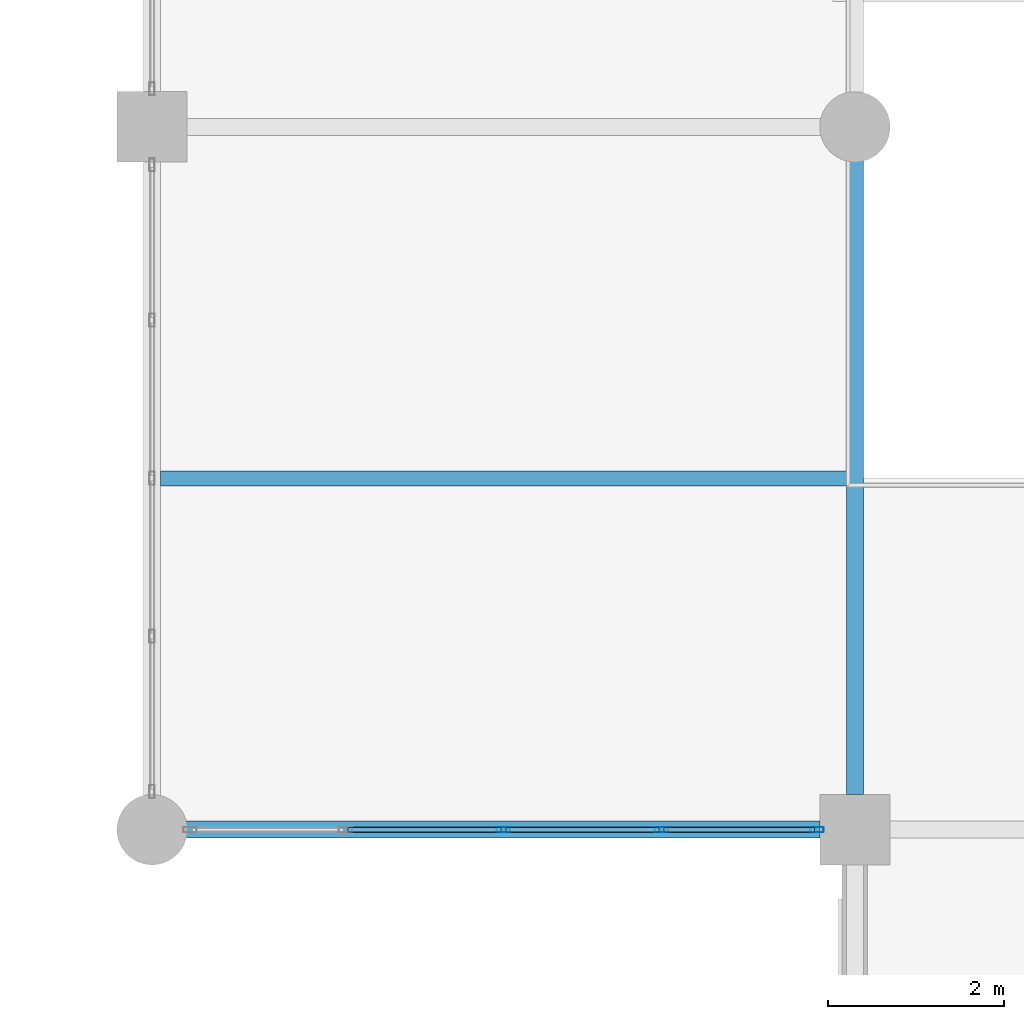
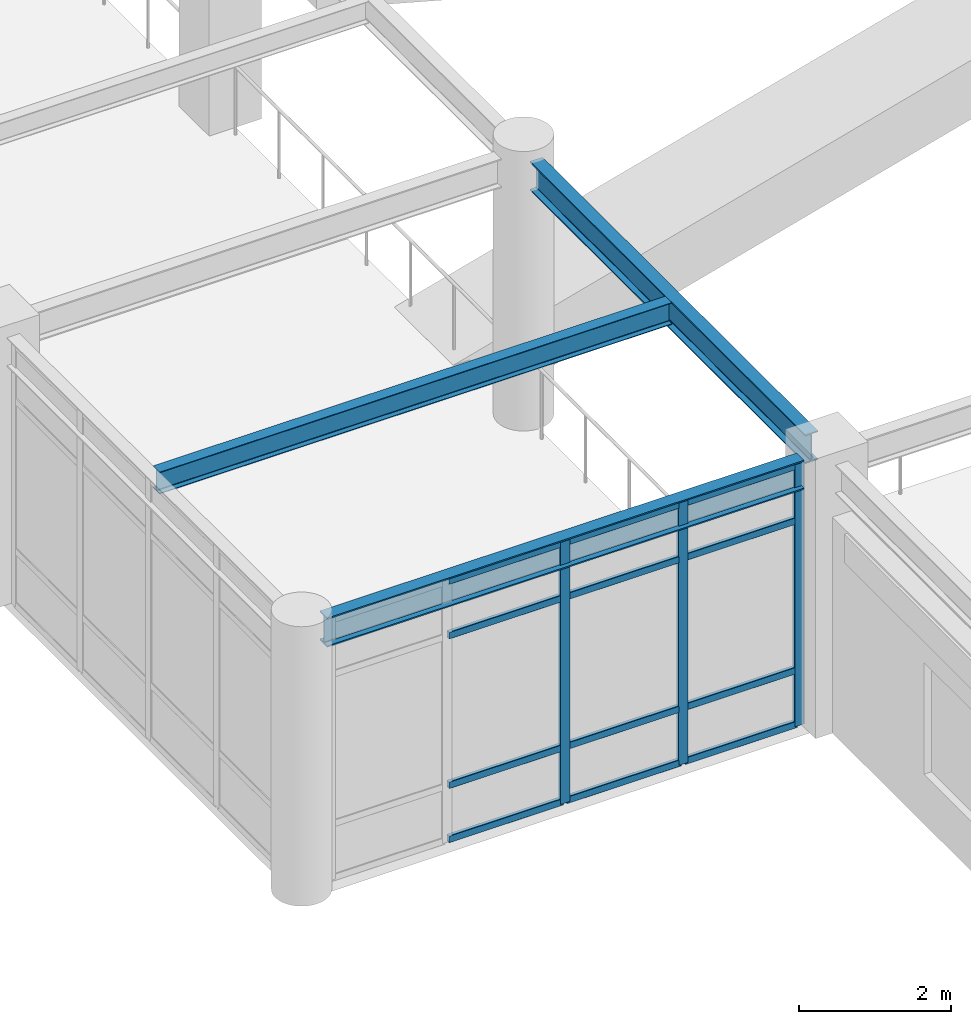
# One storey, part 20 of 78: 15 members, 3 beams, 1 element without a shape of its own.
"""IFC4 building model written with IfcOpenShell, lengths in metres."""

from ifc_helpers import new_model, si_unit, direction, frame, origin, origin_2d, place, context, subcontext, project, spatial, hollow_rectangle, i_section, extrude, material, material_profile, profile_set, type_object, element, aggregate, save


model = new_model("IFC4")

# Units and contexts
model_context = context("Model", 3, precision=1e-05, world=origin(), true_north=direction((0.0, 1.0)))
body_context = subcontext(model_context, "Body", "Model", "MODEL_VIEW")
ifc_project = project(units=[si_unit("LENGTHUNIT", "METRE"), si_unit("AREAUNIT", "SQUARE_METRE"), si_unit("VOLUMEUNIT", "CUBIC_METRE"), si_unit("PLANEANGLEUNIT", "RADIAN"), si_unit("MASSUNIT", "GRAM", prefix="KILO")], contexts=[model_context])

# Site, building, storey
site_placement = place(None, origin())
site = spatial("IfcSite", under=ifc_project, at=site_placement, CompositionType="ELEMENT")
building_placement = place(site_placement, origin())
building = spatial("IfcBuilding", under=site, at=building_placement, Name="Solmirada Galleria", CompositionType="ELEMENT")
storey_placement = place(building_placement, frame((0.0, 0.0, 23.89990234375)))
storey = spatial("IfcBuildingStorey", under=building, at=storey_placement, Name="L05", CompositionType="ELEMENT", Elevation=23.89990234375)

# Beams
ifc_material_1 = material(Name="Steel S355 / ASTM A992 Grade 50", Category="steel")
ifc_material_profile_1 = material_profile(ifc_material_1, i_section(OverallWidth=0.194091796875, OverallDepth=0.468994140625, WebThickness=0.0126953125, FlangeThickness=0.0205078125, FilletRadius=0.013916015625, at=origin_2d()), Name="W18X71")
ifc_profile_set_1 = profile_set([ifc_material_profile_1], Name="Steel S355 / ASTM A992 Grade 50")
beam_type_1 = type_object("IfcBeamType", Name="BM-GIRD-W18B", PredefinedType="BEAM", material=ifc_profile_set_1)
beam_1_placement = place(storey_placement, frame((80.3359375, 48.0, 4.065673828125), z_axis=(1.0, 0.0, 0.0), x_axis=(0.0, 1.0, 0.0)))
element("IfcBeam", 1, at=beam_1_placement, inside=storey, type_object=beam_type_1, Name="Primary beam L06 X(80..88, 48)", PredefinedType="BEAM", context=body_context, shape_type="SweptSolid", body=[
    extrude(i_section(OverallWidth=0.194091796875, OverallDepth=0.468994140625, WebThickness=0.0126953125, FlangeThickness=0.0205078125, FilletRadius=0.013916015625, at=origin_2d()), origin(), (0.0, 0.0, 1.0), 7.26416015625),
])
ifc_material_profile_2 = material_profile(ifc_material_1, i_section(OverallWidth=0.193115234375, OverallDepth=0.466064453125, WebThickness=0.011474609375, FlangeThickness=0.01904296875, FilletRadius=0.013916015625, at=origin_2d()), Name="W18X65")
ifc_profile_set_2 = profile_set([ifc_material_profile_2], Name="Steel S355 / ASTM A992 Grade 50")
beam_type_2 = type_object("IfcBeamType", Name="BM-GIRD-W18C", PredefinedType="BEAM", material=ifc_profile_set_2)
beam_2_placement = place(storey_placement, frame((88.0, 48.39990234375, 4.067138671875), z_axis=(0.0, 1.0, 0.0), x_axis=(-1.0, 0.0, 0.0)))
element("IfcBeam", 2, at=beam_2_placement, inside=storey, type_object=beam_type_2, Name="Primary girder L06 Y(88, 48..56)", PredefinedType="BEAM", context=body_context, shape_type="SweptSolid", body=[
    extrude(i_section(OverallWidth=0.193115234375, OverallDepth=0.466064453125, WebThickness=0.011474609375, FlangeThickness=0.01904296875, FilletRadius=0.013916015625, at=origin_2d()), origin(), (0.0, 0.0, 1.0), 7.26416015625),
])
ifc_material_profile_3 = material_profile(ifc_material_1, i_section(OverallWidth=0.1708984375, OverallDepth=0.35205078125, WebThickness=0.0068359375, FlangeThickness=0.009765625, FilletRadius=0.010986328125, at=origin_2d()), Name="W14X30")
ifc_profile_set_3 = profile_set([ifc_material_profile_3], Name="Steel S355 / ASTM A992 Grade 50")
beam_type_3 = type_object("IfcBeamType", Name="BM-JST-W14B", PredefinedType="JOIST", material=ifc_profile_set_3)
beam_3_placement = place(storey_placement, frame((80.096435546875, 52.0, 4.1240234375), z_axis=(1.0, 0.0, 0.0), x_axis=(0.0, 1.0, 0.0)))
element("IfcBeam", 3, at=beam_3_placement, inside=storey, type_object=beam_type_3, Name="Composite floor joist L06 (80..88, 52.0)", PredefinedType="JOIST", context=body_context, shape_type="SweptSolid", body=[
    extrude(i_section(OverallWidth=0.1708984375, OverallDepth=0.35205078125, WebThickness=0.0068359375, FlangeThickness=0.009765625, FilletRadius=0.010986328125, at=origin_2d()), origin(), (0.0, 0.0, 1.0), 7.80712890625),
])

# Curtain wall, members
ifc_material_2 = material(Name="Impact-resistant low-E double glazing", Category="glass")
curtain_wall_type = type_object("IfcCurtainWallType", Name="CW-FZ3-L05-B4-L072", PredefinedType="NOTDEFINED", material=ifc_material_2)
curtain_wall_placement = place(storey_placement, origin())
curtain_wall = element("IfcCurtainWall", 4, at=curtain_wall_placement, inside=storey, type_object=curtain_wall_type, Name="Terrace and arcade storefront CW-L05-163", PredefinedType="NOTDEFINED")
ifc_material_3 = material(Name="Anodised aluminium framing", Category="aluminium")
ifc_material_profile_4 = material_profile(ifc_material_3, hollow_rectangle(XDim=0.06005859375, YDim=0.14990234375, WallThickness=0.00341796875, InnerFilletRadius=0.00341796875, OuterFilletRadius=0.007080078125, at=origin_2d()), Name="ALU-MULL-150X60")
ifc_profile_set_4 = profile_set([ifc_material_profile_4], Name="Anodised aluminium framing")
member_type_1 = type_object("IfcMemberType", Name="CW-MULL-150", PredefinedType="MULLION", material=ifc_profile_set_4)
member_1_placement = place(storey_placement, frame((87.568115234375, 48.0, 0.0), z_axis=(0.0, 0.0, 1.0), x_axis=(0.0, -1.0, 0.0)))
member_1 = element("IfcMember", 5, at=member_1_placement, type_object=member_type_1, Name="CW33 mullion 1", PredefinedType="MULLION", context=body_context, shape_type="SweptSolid", body=[
    extrude(hollow_rectangle(XDim=0.06005859375, YDim=0.14990234375, WallThickness=0.00341796875, InnerFilletRadius=0.00341796875, OuterFilletRadius=0.007080078125, at=origin_2d()), origin(), (0.0, 0.0, 1.0), 4.22021484375),
])
member_2_placement = place(storey_placement, frame((85.799072265625, 48.0, 0.0), z_axis=(0.0, 0.0, 1.0), x_axis=(0.0, -1.0, 0.0)))
member_2 = element("IfcMember", 6, at=member_2_placement, type_object=member_type_1, Name="CW33 mullion 2", PredefinedType="MULLION", context=body_context, shape_type="SweptSolid", body=[
    extrude(hollow_rectangle(XDim=0.06005859375, YDim=0.14990234375, WallThickness=0.00341796875, InnerFilletRadius=0.00341796875, OuterFilletRadius=0.007080078125, at=origin_2d()), origin(), (0.0, 0.0, 1.0), 4.22021484375),
])
member_3_placement = place(storey_placement, frame((84.0, 48.0, 0.0), z_axis=(0.0, 0.0, 1.0), x_axis=(0.0, -1.0, 0.0)))
member_3 = element("IfcMember", 7, at=member_3_placement, type_object=member_type_1, Name="CW33 mullion 3", PredefinedType="MULLION", context=body_context, shape_type="SweptSolid", body=[
    extrude(hollow_rectangle(XDim=0.06005859375, YDim=0.14990234375, WallThickness=0.00341796875, InnerFilletRadius=0.00341796875, OuterFilletRadius=0.007080078125, at=origin_2d()), origin(), (0.0, 0.0, 1.0), 4.22021484375),
])
ifc_material_profile_5 = material_profile(ifc_material_3, hollow_rectangle(XDim=0.06005859375, YDim=0.110107421875, WallThickness=0.003173828125, InnerFilletRadius=0.003173828125, OuterFilletRadius=0.00634765625, at=origin_2d()), Name="ALU-TRAN-110X60")
ifc_profile_set_5 = profile_set([ifc_material_profile_5], Name="Anodised aluminium framing")
member_type_2 = type_object("IfcMemberType", Name="CW-TRAN-110", PredefinedType="USERDEFINED", material=ifc_profile_set_5)
member_4_placement = place(storey_placement, frame((87.5380859375, 48.0, 0.030029296875), z_axis=(-1.0, 0.0, 0.0), x_axis=(0.0, -1.0, 0.0)))
member_4 = element("IfcMember", 8, at=member_4_placement, type_object=member_type_2, Name="CW33 transom 1.1", ObjectType="TRANSOM", PredefinedType="USERDEFINED", context=body_context, shape_type="SweptSolid", body=[
    extrude(hollow_rectangle(XDim=0.06005859375, YDim=0.110107421875, WallThickness=0.003173828125, InnerFilletRadius=0.003173828125, OuterFilletRadius=0.00634765625, at=origin_2d()), origin(), (0.0, 0.0, 1.0), 1.708984375),
])
member_5_placement = place(storey_placement, frame((87.5380859375, 48.0, 0.900146484375), z_axis=(-1.0, 0.0, 0.0), x_axis=(0.0, -1.0, 0.0)))
member_5 = element("IfcMember", 9, at=member_5_placement, type_object=member_type_2, Name="CW33 transom 1.2", ObjectType="TRANSOM", PredefinedType="USERDEFINED", context=body_context, shape_type="SweptSolid", body=[
    extrude(hollow_rectangle(XDim=0.06005859375, YDim=0.110107421875, WallThickness=0.003173828125, InnerFilletRadius=0.003173828125, OuterFilletRadius=0.00634765625, at=origin_2d()), origin(), (0.0, 0.0, 1.0), 1.708984375),
])
member_6_placement = place(storey_placement, frame((87.5380859375, 48.0, 3.31005859375), z_axis=(-1.0, 0.0, 0.0), x_axis=(0.0, -1.0, 0.0)))
member_6 = element("IfcMember", 10, at=member_6_placement, type_object=member_type_2, Name="CW33 transom 1.3", ObjectType="TRANSOM", PredefinedType="USERDEFINED", context=body_context, shape_type="SweptSolid", body=[
    extrude(hollow_rectangle(XDim=0.06005859375, YDim=0.110107421875, WallThickness=0.003173828125, InnerFilletRadius=0.003173828125, OuterFilletRadius=0.00634765625, at=origin_2d()), origin(), (0.0, 0.0, 1.0), 1.708984375),
])
member_7_placement = place(storey_placement, frame((87.5380859375, 48.0, 4.190185546875), z_axis=(-1.0, 0.0, 0.0), x_axis=(0.0, -1.0, 0.0)))
member_7 = element("IfcMember", 11, at=member_7_placement, type_object=member_type_2, Name="CW33 transom 1.4", ObjectType="TRANSOM", PredefinedType="USERDEFINED", context=body_context, shape_type="SweptSolid", body=[
    extrude(hollow_rectangle(XDim=0.06005859375, YDim=0.110107421875, WallThickness=0.003173828125, InnerFilletRadius=0.003173828125, OuterFilletRadius=0.00634765625, at=origin_2d()), origin(), (0.0, 0.0, 1.0), 1.708984375),
])
member_8_placement = place(storey_placement, frame((85.76904296875, 48.0, 0.030029296875), z_axis=(-1.0, 0.0, 0.0), x_axis=(0.0, -1.0, 0.0)))
member_8 = element("IfcMember", 12, at=member_8_placement, type_object=member_type_2, Name="CW33 transom 2.1", ObjectType="TRANSOM", PredefinedType="USERDEFINED", context=body_context, shape_type="SweptSolid", body=[
    extrude(hollow_rectangle(XDim=0.06005859375, YDim=0.110107421875, WallThickness=0.003173828125, InnerFilletRadius=0.003173828125, OuterFilletRadius=0.00634765625, at=origin_2d()), origin(), (0.0, 0.0, 1.0), 1.739013671875),
])
member_9_placement = place(storey_placement, frame((85.76904296875, 48.0, 0.900146484375), z_axis=(-1.0, 0.0, 0.0), x_axis=(0.0, -1.0, 0.0)))
member_9 = element("IfcMember", 13, at=member_9_placement, type_object=member_type_2, Name="CW33 transom 2.2", ObjectType="TRANSOM", PredefinedType="USERDEFINED", context=body_context, shape_type="SweptSolid", body=[
    extrude(hollow_rectangle(XDim=0.06005859375, YDim=0.110107421875, WallThickness=0.003173828125, InnerFilletRadius=0.003173828125, OuterFilletRadius=0.00634765625, at=origin_2d()), origin(), (0.0, 0.0, 1.0), 1.739013671875),
])
member_10_placement = place(storey_placement, frame((85.76904296875, 48.0, 3.31005859375), z_axis=(-1.0, 0.0, 0.0), x_axis=(0.0, -1.0, 0.0)))
member_10 = element("IfcMember", 14, at=member_10_placement, type_object=member_type_2, Name="CW33 transom 2.3", ObjectType="TRANSOM", PredefinedType="USERDEFINED", context=body_context, shape_type="SweptSolid", body=[
    extrude(hollow_rectangle(XDim=0.06005859375, YDim=0.110107421875, WallThickness=0.003173828125, InnerFilletRadius=0.003173828125, OuterFilletRadius=0.00634765625, at=origin_2d()), origin(), (0.0, 0.0, 1.0), 1.739013671875),
])
member_11_placement = place(storey_placement, frame((85.76904296875, 48.0, 4.190185546875), z_axis=(-1.0, 0.0, 0.0), x_axis=(0.0, -1.0, 0.0)))
member_11 = element("IfcMember", 15, at=member_11_placement, type_object=member_type_2, Name="CW33 transom 2.4", ObjectType="TRANSOM", PredefinedType="USERDEFINED", context=body_context, shape_type="SweptSolid", body=[
    extrude(hollow_rectangle(XDim=0.06005859375, YDim=0.110107421875, WallThickness=0.003173828125, InnerFilletRadius=0.003173828125, OuterFilletRadius=0.00634765625, at=origin_2d()), origin(), (0.0, 0.0, 1.0), 1.739013671875),
])
member_12_placement = place(storey_placement, frame((83.969970703125, 48.0, 0.030029296875), z_axis=(-1.0, 0.0, 0.0), x_axis=(0.0, -1.0, 0.0)))
member_12 = element("IfcMember", 16, at=member_12_placement, type_object=member_type_2, Name="CW33 transom 3.1", ObjectType="TRANSOM", PredefinedType="USERDEFINED", context=body_context, shape_type="SweptSolid", body=[
    extrude(hollow_rectangle(XDim=0.06005859375, YDim=0.110107421875, WallThickness=0.003173828125, InnerFilletRadius=0.003173828125, OuterFilletRadius=0.00634765625, at=origin_2d()), origin(), (0.0, 0.0, 1.0), 1.739013671875),
])
member_13_placement = place(storey_placement, frame((83.969970703125, 48.0, 0.900146484375), z_axis=(-1.0, 0.0, 0.0), x_axis=(0.0, -1.0, 0.0)))
member_13 = element("IfcMember", 17, at=member_13_placement, type_object=member_type_2, Name="CW33 transom 3.2", ObjectType="TRANSOM", PredefinedType="USERDEFINED", context=body_context, shape_type="SweptSolid", body=[
    extrude(hollow_rectangle(XDim=0.06005859375, YDim=0.110107421875, WallThickness=0.003173828125, InnerFilletRadius=0.003173828125, OuterFilletRadius=0.00634765625, at=origin_2d()), origin(), (0.0, 0.0, 1.0), 1.739013671875),
])
member_14_placement = place(storey_placement, frame((83.969970703125, 48.0, 3.31005859375), z_axis=(-1.0, 0.0, 0.0), x_axis=(0.0, -1.0, 0.0)))
member_14 = element("IfcMember", 18, at=member_14_placement, type_object=member_type_2, Name="CW33 transom 3.3", ObjectType="TRANSOM", PredefinedType="USERDEFINED", context=body_context, shape_type="SweptSolid", body=[
    extrude(hollow_rectangle(XDim=0.06005859375, YDim=0.110107421875, WallThickness=0.003173828125, InnerFilletRadius=0.003173828125, OuterFilletRadius=0.00634765625, at=origin_2d()), origin(), (0.0, 0.0, 1.0), 1.739013671875),
])
member_15_placement = place(storey_placement, frame((83.969970703125, 48.0, 4.190185546875), z_axis=(-1.0, 0.0, 0.0), x_axis=(0.0, -1.0, 0.0)))
member_15 = element("IfcMember", 19, at=member_15_placement, type_object=member_type_2, Name="CW33 transom 3.4", ObjectType="TRANSOM", PredefinedType="USERDEFINED", context=body_context, shape_type="SweptSolid", body=[
    extrude(hollow_rectangle(XDim=0.06005859375, YDim=0.110107421875, WallThickness=0.003173828125, InnerFilletRadius=0.003173828125, OuterFilletRadius=0.00634765625, at=origin_2d()), origin(), (0.0, 0.0, 1.0), 1.739013671875),
])
aggregate(curtain_wall, [member_1, member_2, member_3, member_4, member_5, member_6, member_7, member_8, member_9, member_10, member_11, member_12, member_13, member_14, member_15])

save(model, "model.ifc")
